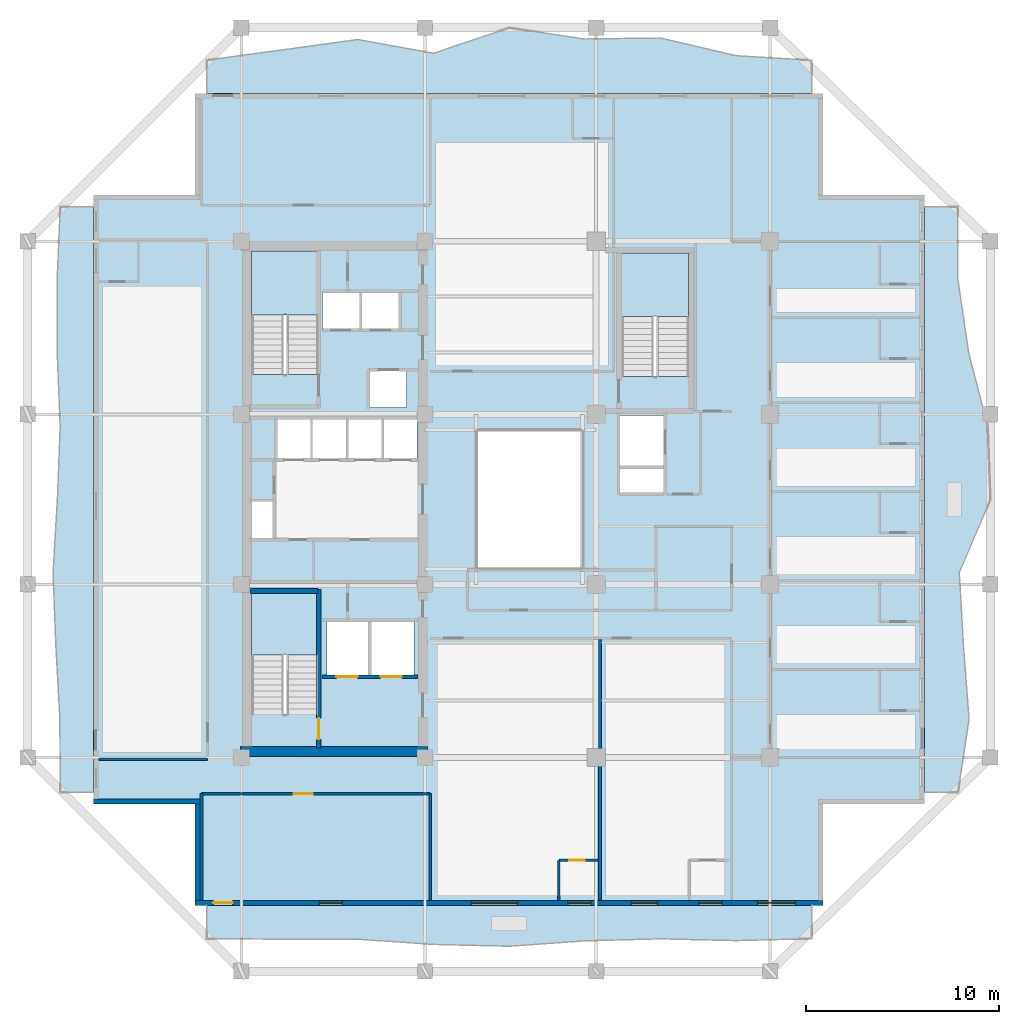
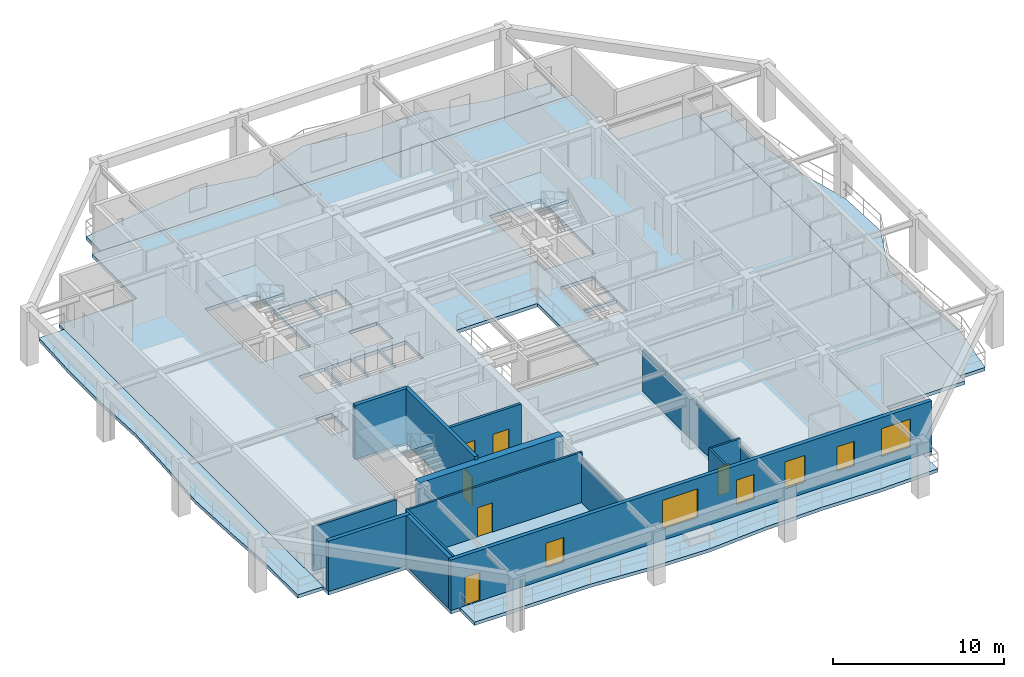
# One storey, part 2 of 13: 14 walls, 8 slabs, 6 doors, 6 windows, 12 openings, 3 elements without a shape of their own.
"""IFC4 building model written with IfcOpenShell, lengths in metres."""

from ifc_helpers import new_model, si_unit, direction, frame, frame_2d, origin, place, context, subcontext, project, spatial, polyline, rectangle, outline, extrude, material, layer, layer_set, type_object, element, fill, aggregate, save


model = new_model("IFC4")

# Units and contexts
model_context = context("Model", 3, precision=1e-05, world=origin(), true_north=direction((0.0, 1.0)))
body_context = subcontext(model_context, "Body", "Model", "MODEL_VIEW")
ifc_project = project(units=[si_unit("LENGTHUNIT", "METRE"), si_unit("AREAUNIT", "SQUARE_METRE"), si_unit("VOLUMEUNIT", "CUBIC_METRE"), si_unit("PLANEANGLEUNIT", "RADIAN"), si_unit("MASSUNIT", "GRAM", prefix="KILO")], contexts=[model_context])

# Site, building, storey
site_placement = place(None, origin())
site = spatial("IfcSite", under=ifc_project, at=site_placement, CompositionType="ELEMENT")
building_placement = place(site_placement, origin())
building = spatial("IfcBuilding", under=site, at=building_placement, Name="Kundavana Baori Tower", CompositionType="ELEMENT")
storey_placement = place(building_placement, frame((0.0, 0.0, 192.550048828125)))
storey = spatial("IfcBuildingStorey", under=building, at=storey_placement, Name="L47", CompositionType="ELEMENT", Elevation=192.550048828125)

# Slab
ifc_material_1 = material(Name="Concrete C40/50", Category="concrete")
ifc_layer_1 = layer(ifc_material_1, 0.25, Name="SLB-FLR-250")
ifc_layer_set_1 = layer_set([ifc_layer_1], Name="Concrete C40/50")
slab_type_1 = type_object("IfcSlabType", Name="SLB-FLR-250", PredefinedType="FLOOR", material=ifc_layer_set_1)
slab_1_placement = place(storey_placement, frame((0.0, 0.0, -0.25)))
element("IfcSlab", 1, at=slab_1_placement, inside=storey, type_object=slab_type_1, Name="L47 Structural Floor Slab", PredefinedType="FLOOR", context=body_context, shape_type="SweptSolid", body=[
    extrude(outline(polyline([(13.050048828125, 7.60009765625), (45.550048828125, 7.60009765625), (45.550048828125, 12.85009765625), (50.800048828125, 12.85009765625), (50.800048828125, 44.35009765625), (45.550048828125, 44.35009765625), (45.550048828125, 49.60009765625), (13.050048828125, 49.60009765625), (13.050048828125, 44.35009765625), (7.800048828125, 44.35009765625), (7.800048828125, 12.85009765625), (13.050048828125, 12.85009765625), (13.050048828125, 7.60009765625)]), holes=[polyline([(19.43994140625, 17.4619140625), (19.43994140625, 23.85009765625), (15.97998046875, 23.85009765625), (15.97998046875, 17.4619140625), (19.43994140625, 17.4619140625)]), polyline([(19.43994140625, 35.06201171875), (19.43994140625, 41.449951171875), (15.97998046875, 41.449951171875), (15.97998046875, 35.06201171875), (19.43994140625, 35.06201171875)]), polyline([(38.580078125, 34.9619140625), (38.580078125, 41.35009765625), (35.1201171875, 41.35009765625), (35.1201171875, 34.9619140625), (38.580078125, 34.9619140625)]), polyline([(17.300048828125, 30.699951171875), (19.02001953125, 30.699951171875), (19.02001953125, 32.75), (17.300048828125, 32.75), (17.300048828125, 30.699951171875)]), polyline([(19.139892578125, 30.699951171875), (20.860107421875, 30.699951171875), (20.860107421875, 32.75), (19.139892578125, 32.75), (19.139892578125, 30.699951171875)]), polyline([(20.97998046875, 30.699951171875), (22.699951171875, 30.699951171875), (22.699951171875, 32.75), (20.97998046875, 32.75), (20.97998046875, 30.699951171875)]), polyline([(22.820068359375, 30.699951171875), (24.5400390625, 30.699951171875), (24.5400390625, 32.75), (22.820068359375, 32.75), (22.820068359375, 30.699951171875)]), polyline([(19.64990234375, 37.39990234375), (21.550048828125, 37.39990234375), (21.550048828125, 39.300048828125), (19.64990234375, 39.300048828125), (19.64990234375, 37.39990234375)]), polyline([(21.699951171875, 37.39990234375), (23.60009765625, 37.39990234375), (23.60009765625, 39.300048828125), (21.699951171875, 39.300048828125), (21.699951171875, 37.39990234375)]), polyline([(22.10009765625, 33.35009765625), (24.0, 33.35009765625), (24.0, 35.25), (22.10009765625, 35.25), (22.10009765625, 33.35009765625)]), polyline([(19.8798828125, 19.5), (22.02001953125, 19.5), (22.02001953125, 22.25), (19.8798828125, 22.25), (19.8798828125, 19.5)]), polyline([(22.179931640625, 19.5), (24.3798828125, 19.5), (24.3798828125, 22.25), (22.179931640625, 22.25), (22.179931640625, 19.5)]), polyline([(35.050048828125, 30.35009765625), (37.300048828125, 30.35009765625), (37.300048828125, 32.949951171875), (35.050048828125, 32.949951171875), (35.050048828125, 30.35009765625)]), polyline([(15.949951171875, 26.60009765625), (17.080078125, 26.60009765625), (17.080078125, 28.5), (15.949951171875, 28.5), (15.949951171875, 26.60009765625)]), polyline([(35.050048828125, 28.949951171875), (37.300048828125, 28.949951171875), (37.300048828125, 30.199951171875), (35.050048828125, 30.199951171875), (35.050048828125, 28.949951171875)]), polyline([(27.60009765625, 25.0), (33.10009765625, 25.0), (33.10009765625, 32.199951171875), (27.60009765625, 32.199951171875), (27.60009765625, 25.0)])]), origin(), (0.0, 0.0, 1.0), 0.25),
])

# Stair, slab
ifc_material_2 = material(Name="Concrete C40/50", Category="concrete")
stair_type = type_object("IfcStairType", Name="STR-DOG-1650", PredefinedType="HALF_TURN_STAIR", material=ifc_material_2)
stair_1_placement = place(storey_placement, origin())
stair_1 = element("IfcStair", 2, at=stair_1_placement, inside=storey, type_object=stair_type, Name="L47 Protected Exit Stair ST1", PredefinedType="HALF_TURN_STAIR")
ifc_material_3 = material(Name="Concrete C40/50", Category="concrete")
ifc_layer_2 = layer(ifc_material_3, 0.199951171875, Name="SLB-LND-200")
ifc_layer_set_2 = layer_set([ifc_layer_2], Name="Concrete C40/50")
slab_type_2 = type_object("IfcSlabType", Name="SLB-LND-200", PredefinedType="LANDING", material=ifc_layer_set_2)
slab_2_placement = place(storey_placement, frame((0.0, 0.0, 1.724853515625)))
slab_2 = element("IfcSlab", 3, at=slab_2_placement, type_object=slab_type_2, Name="ST1 landing 1", PredefinedType="LANDING", context=body_context, shape_type="SweptSolid", body=[
    extrude(outline(polyline([(19.43994140625, 20.550048828125), (19.43994140625, 23.85009765625), (15.97998046875, 23.85009765625), (15.97998046875, 20.550048828125), (19.43994140625, 20.550048828125)])), origin(), (0.0, 0.0, 1.0), 0.2001953125),
])
aggregate(stair_1, [slab_2])

stair_2_placement = place(storey_placement, origin())
stair_2 = element("IfcStair", 4, at=stair_2_placement, inside=storey, type_object=stair_type, Name="L47 Protected Exit Stair ST2", PredefinedType="HALF_TURN_STAIR")
slab_3_placement = place(storey_placement, frame((0.0, 0.0, 1.724853515625)))
slab_3 = element("IfcSlab", 5, at=slab_3_placement, type_object=slab_type_2, Name="ST2 landing 1", PredefinedType="LANDING", context=body_context, shape_type="SweptSolid", body=[
    extrude(outline(polyline([(19.43994140625, 38.14990234375), (19.43994140625, 41.449951171875), (15.97998046875, 41.449951171875), (15.97998046875, 38.14990234375), (19.43994140625, 38.14990234375)])), origin(), (0.0, 0.0, 1.0), 0.2001953125),
])
aggregate(stair_2, [slab_3])

stair_3_placement = place(storey_placement, origin())
stair_3 = element("IfcStair", 6, at=stair_3_placement, inside=storey, type_object=stair_type, Name="L47 Protected Exit Stair ST3", PredefinedType="HALF_TURN_STAIR")
slab_4_placement = place(storey_placement, frame((0.0, 0.0, 1.724853515625)))
slab_4 = element("IfcSlab", 7, at=slab_4_placement, type_object=slab_type_2, Name="ST3 landing 1", PredefinedType="LANDING", context=body_context, shape_type="SweptSolid", body=[
    extrude(outline(polyline([(38.580078125, 38.050048828125), (38.580078125, 41.35009765625), (35.1201171875, 41.35009765625), (35.1201171875, 38.050048828125), (38.580078125, 38.050048828125)])), origin(), (0.0, 0.0, 1.0), 0.2001953125),
])
aggregate(stair_3, [slab_4])

# Slabs
ifc_material_4 = material(Name="Concrete C40/50", Category="concrete")
ifc_layer_3 = layer(ifc_material_4, 0.239990234375, Name="SLB-LOG-240")
ifc_layer_set_3 = layer_set([ifc_layer_3], Name="Concrete C40/50")
slab_type_3 = type_object("IfcSlabType", Name="SLB-LOG-240", PredefinedType="FLOOR", material=ifc_layer_set_3)
slab_5_placement = place(storey_placement, frame((0.0, 0.0, -0.239990234375)))
element("IfcSlab", 8, at=slab_5_placement, inside=storey, type_object=slab_type_3, Name="L47 Planted Loggia Balcony Slab S", PredefinedType="FLOOR", context=body_context, shape_type="SweptSolid", body=[
    extrude(outline(polyline([(13.64990234375, 7.60009765625), (44.949951171875, 7.60009765625), (44.949951171875, 5.8798828125), (41.0380859375, 5.777099609375), (37.125, 5.87109375), (33.212890625, 5.76611328125), (29.300048828125, 5.486083984375), (25.387939453125, 5.5810546875), (21.47509765625, 5.85009765625), (17.56201171875, 5.85205078125), (13.64990234375, 5.8798828125), (13.64990234375, 7.60009765625)])), origin(), (0.0, 0.0, 1.0), 0.239990234375),
])
slab_6_placement = place(storey_placement, frame((0.0, 0.0, -0.239990234375)))
element("IfcSlab", 9, at=slab_6_placement, inside=storey, type_object=slab_type_3, Name="L47 Planted Loggia Balcony Slab E", PredefinedType="FLOOR", context=body_context, shape_type="SweptSolid", body=[
    extrude(outline(polyline([(50.800048828125, 13.449951171875), (50.800048828125, 43.75), (52.52001953125, 43.75), (52.52001953125, 39.9619140625), (53.073974609375, 36.175048828125), (54.05908203125, 32.387939453125), (54.199951171875, 28.60009765625), (52.589111328125, 24.81201171875), (52.805908203125, 21.02490234375), (53.093994140625, 17.238037109375), (52.52001953125, 13.449951171875), (50.800048828125, 13.449951171875)])), origin(), (0.0, 0.0, 1.0), 0.239990234375),
])
slab_7_placement = place(storey_placement, frame((0.0, 0.0, -0.239990234375)))
element("IfcSlab", 10, at=slab_7_placement, inside=storey, type_object=slab_type_3, Name="L47 Planted Loggia Balcony Slab N", PredefinedType="FLOOR", context=body_context, shape_type="SweptSolid", body=[
    extrude(outline(polyline([(44.949951171875, 49.60009765625), (13.64990234375, 49.60009765625), (13.64990234375, 51.320068359375), (17.56201171875, 51.85205078125), (21.47509765625, 52.389892578125), (25.387939453125, 51.677001953125), (29.300048828125, 53.0), (33.212890625, 52.4169921875), (37.125, 52.470947265625), (41.0380859375, 51.552001953125), (44.949951171875, 51.320068359375), (44.949951171875, 49.60009765625)])), origin(), (0.0, 0.0, 1.0), 0.239990234375),
])
slab_8_placement = place(storey_placement, frame((0.0, 0.0, -0.239990234375)))
element("IfcSlab", 11, at=slab_8_placement, inside=storey, type_object=slab_type_3, Name="L47 Planted Loggia Balcony Slab W", PredefinedType="FLOOR", context=body_context, shape_type="SweptSolid", body=[
    extrude(outline(polyline([(7.800048828125, 43.75), (7.800048828125, 13.449951171875), (6.080078125, 13.449951171875), (6.06298828125, 17.238037109375), (5.85400390625, 21.02490234375), (5.708984375, 24.81201171875), (5.93310546875, 28.60009765625), (6.076904296875, 32.387939453125), (5.922119140625, 36.175048828125), (5.9189453125, 39.9619140625), (6.080078125, 43.75), (7.800048828125, 43.75)])), origin(), (0.0, 0.0, 1.0), 0.239990234375),
])

# Wall, opening, door
ifc_material_5 = material(Name="Concrete C50/60", Category="concrete")
ifc_layer_4 = layer(ifc_material_5, 0.39990234375, Name="WL-CORE-400")
ifc_layer_set_4 = layer_set([ifc_layer_4], Name="Concrete C50/60")
wall_type_1 = type_object("IfcWallType", Name="WL-CORE-400", PredefinedType="SHEAR", material=ifc_layer_set_4)
wall_1_placement = place(storey_placement, frame((19.4599609375, 15.739990234375, 0.0), z_axis=(0.0, 0.0, 1.0), x_axis=(0.0, 1.0, 0.0)))
wall_1 = element("IfcWall", 12, at=wall_1_placement, inside=storey, type_object=wall_type_1, Name="WL-L47-ST1-E", PredefinedType="SHEAR", context=body_context, shape_type="SweptSolid", body=[
    extrude(rectangle(XDim=8.199951171875, YDim=0.239990234375, at=frame_2d((4.10009765625, 0.0))), origin(), (0.0, 0.0, 1.0), 3.849853515625),
])
opening_1_placement = place(wall_1_placement, frame((0.449951171875, 0.0, 0.0)))
opening_1 = element("IfcOpeningElement", 13, at=opening_1_placement, cuts=wall_1, Name="Opening FD-110", PredefinedType="OPENING", context=body_context, shape_type="SweptSolid", body=[
    extrude(rectangle(XDim=1.10009765625, YDim=2.10009765625, at=frame_2d((0.550048828125, 1.050048828125))), frame((0.0, 0.1298828125, 0.0), z_axis=(0.0, -1.0, 0.0), x_axis=(1.0, 0.0, 0.0)), (0.0, 0.0, 1.0), 0.260009765625),
])
ifc_material_6 = material(Name="Galvanised Steel Fire-Rated Door Leaf", Category="steel")
door_type_1 = type_object("IfcDoorType", Name="DR-FD120-1100", OperationType="NOTDEFINED", PredefinedType="DOOR", material=ifc_material_6)
door_1_placement = place(opening_1_placement, origin())
door_1 = element("IfcDoor", 14, at=door_1_placement, inside=storey, type_object=door_type_1, Name="DR-L47-ST1", OperationType="SINGLE_SWING_LEFT", OverallHeight=2.10009765625, OverallWidth=1.10009765625, PredefinedType="DOOR", context=body_context, shape_type="SweptSolid", body=[
    extrude(rectangle(XDim=1.10009765625, YDim=2.10009765625, at=frame_2d((0.550048828125, 1.050048828125))), frame((0.0, 0.02490234375, 0.0), z_axis=(0.0, -1.0, 0.0), x_axis=(1.0, 0.0, 0.0)), (0.0, 0.0, 1.0), 0.050048828125),
])
fill(opening_1, door_1)

# Walls
wall_2_placement = place(storey_placement, frame((15.89990234375, 23.860107421875, 0.0), z_axis=(0.0, 0.0, 1.0), x_axis=(1.0, 0.0, 0.0)))
element("IfcWall", 15, at=wall_2_placement, inside=storey, type_object=wall_type_1, Name="WL-L47-ST1-N", PredefinedType="SHEAR", context=body_context, shape_type="SweptSolid", body=[
    extrude(rectangle(XDim=3.52001953125, YDim=0.239990234375, at=frame_2d((1.760009765625, 0.0))), origin(), (0.0, 0.0, 1.0), 3.849853515625),
])
ifc_material_7 = material(Name="Concrete C50/60", Category="concrete")
ifc_layer_5 = layer(ifc_material_7, 0.5, Name="WL-CORE-500")
ifc_layer_set_5 = layer_set([ifc_layer_5], Name="Concrete C50/60")
wall_type_2 = type_object("IfcWallType", Name="WL-CORE-500", PredefinedType="SHEAR", material=ifc_layer_set_5)
wall_3_placement = place(storey_placement, frame((15.39990234375, 15.56005859375, 0.0), z_axis=(0.0, 0.0, 1.0), x_axis=(1.0, 0.0, 0.0)))
element("IfcWall", 16, at=wall_3_placement, inside=storey, type_object=wall_type_2, Name="L47 Offset Core South Shear Wall", PredefinedType="SHEAR", context=body_context, shape_type="SweptSolid", body=[
    extrude(rectangle(XDim=9.68017578125, YDim=0.5, at=frame_2d((4.840087890625, 0.0))), origin(), (0.0, 0.0, 1.0), 3.599853515625),
])

# Wall, openings, door, windows
ifc_material_8 = material(Name="Kiln-Fired Terracotta Brick-Slip Masonry on Concrete C40/50", Category="masonry")
ifc_layer_6 = layer(ifc_material_8, 0.260009765625, Name="WL-EXT-BRK-260")
ifc_layer_set_6 = layer_set([ifc_layer_6], Name="Kiln-Fired Terracotta Brick-Slip Masonry on Concrete C40/50")
wall_type_3 = type_object("IfcWallType", Name="WL-EXT-BRK-260", PredefinedType="SOLIDWALL", material=ifc_layer_set_6)
wall_4_placement = place(storey_placement, frame((13.050048828125, 7.72998046875, 0.0), z_axis=(0.0, 0.0, 1.0), x_axis=(1.0, 0.0, 0.0)))
wall_4 = element("IfcWall", 17, at=wall_4_placement, inside=storey, type_object=wall_type_3, Name="L47 Exterior Insulated Facade Wall 01", PredefinedType="SOLIDWALL", context=body_context, shape_type="SweptSolid", body=[
    extrude(rectangle(XDim=32.5, YDim=0.260009765625, at=frame_2d((16.25, 0.0))), origin(), (0.0, 0.0, 1.0), 3.599853515625),
])
opening_2_placement = place(wall_4_placement, frame((0.949951171875, 0.0, 0.0)))
opening_2 = element("IfcOpeningElement", 18, at=opening_2_placement, cuts=wall_4, Name="Opening BD-1", PredefinedType="OPENING", context=body_context, shape_type="SweptSolid", body=[
    extrude(rectangle(XDim=1.0, YDim=2.050048828125, at=frame_2d((0.5, 1.02490234375))), frame((0.0, 0.14013671875, 0.0), z_axis=(0.0, -1.0, 0.0), x_axis=(1.0, 0.0, 0.0)), (0.0, 0.0, 1.0), 0.280029296875),
])
opening_3_placement = place(wall_4_placement, frame((6.429931640625, 0.0, 0.800048828125)))
opening_3 = element("IfcOpeningElement", 19, at=opening_3_placement, cuts=wall_4, Name="Opening W-03", PredefinedType="OPENING", context=body_context, shape_type="SweptSolid", body=[
    extrude(rectangle(XDim=1.199951171875, YDim=1.75, at=frame_2d((0.60009765625, 0.875))), frame((0.0, 0.14013671875, 0.0), z_axis=(0.0, -1.0, 0.0), x_axis=(1.0, 0.0, 0.0)), (0.0, 0.0, 1.0), 0.280029296875),
])
opening_4_placement = place(wall_4_placement, frame((14.294921875, 0.0, 0.800048828125)))
opening_4 = element("IfcOpeningElement", 20, at=opening_4_placement, cuts=wall_4, Name="Opening W-04", PredefinedType="OPENING", context=body_context, shape_type="SweptSolid", body=[
    extrude(rectangle(XDim=2.39990234375, YDim=2.050048828125, at=frame_2d((1.199951171875, 1.02490234375))), frame((0.0, 0.14013671875, 0.0), z_axis=(0.0, -1.0, 0.0), x_axis=(1.0, 0.0, 0.0)), (0.0, 0.0, 1.0), 0.280029296875),
])
opening_5_placement = place(wall_4_placement, frame((19.284912109375, 0.0, 0.800048828125)))
opening_5 = element("IfcOpeningElement", 21, at=opening_5_placement, cuts=wall_4, Name="Opening W-03", PredefinedType="OPENING", context=body_context, shape_type="SweptSolid", body=[
    extrude(rectangle(XDim=1.199951171875, YDim=1.75, at=frame_2d((0.60009765625, 0.875))), frame((0.0, 0.14013671875, 0.0), z_axis=(0.0, -1.0, 0.0), x_axis=(1.0, 0.0, 0.0)), (0.0, 0.0, 1.0), 0.280029296875),
])
opening_6_placement = place(wall_4_placement, frame((22.580078125, 0.0, 0.800048828125)))
opening_6 = element("IfcOpeningElement", 22, at=opening_6_placement, cuts=wall_4, Name="Opening W-07", PredefinedType="OPENING", context=body_context, shape_type="SweptSolid", body=[
    extrude(rectangle(XDim=1.35009765625, YDim=1.89990234375, at=frame_2d((0.675048828125, 0.949951171875))), frame((0.0, 0.14013671875, 0.0), z_axis=(0.0, -1.0, 0.0), x_axis=(1.0, 0.0, 0.0)), (0.0, 0.0, 1.0), 0.280029296875),
])
opening_7_placement = place(wall_4_placement, frame((26.06494140625, 0.0, 0.800048828125)))
opening_7 = element("IfcOpeningElement", 23, at=opening_7_placement, cuts=wall_4, Name="Opening W-03", PredefinedType="OPENING", context=body_context, shape_type="SweptSolid", body=[
    extrude(rectangle(XDim=1.199951171875, YDim=1.75, at=frame_2d((0.60009765625, 0.875))), frame((0.0, 0.14013671875, 0.0), z_axis=(0.0, -1.0, 0.0), x_axis=(1.0, 0.0, 0.0)), (0.0, 0.0, 1.0), 0.280029296875),
])
opening_8_placement = place(wall_4_placement, frame((29.10498046875, 0.0, 0.800048828125)))
opening_8 = element("IfcOpeningElement", 24, at=opening_8_placement, cuts=wall_4, Name="Opening W-09", PredefinedType="OPENING", context=body_context, shape_type="SweptSolid", body=[
    extrude(rectangle(XDim=1.949951171875, YDim=2.0, at=frame_2d((0.97509765625, 1.0))), frame((0.0, 0.14013671875, 0.0), z_axis=(0.0, -1.0, 0.0), x_axis=(1.0, 0.0, 0.0)), (0.0, 0.0, 1.0), 0.280029296875),
])
ifc_material_9 = material(Name="Architectural Patinated Bronze Metalwork")
door_type_2 = type_object("IfcDoorType", Name="DR-EXT-LOG-1000", OperationType="NOTDEFINED", PredefinedType="DOOR", material=ifc_material_9)
door_2_placement = place(opening_2_placement, frame((1.0, 0.0, 0.0), z_axis=(0.0, 0.0, 1.0), x_axis=(-1.0, 0.0, 0.0)))
door_2 = element("IfcDoor", 25, at=door_2_placement, inside=storey, type_object=door_type_2, Name="L47 Loggia Balcony Access Door S", OperationType="SINGLE_SWING_LEFT", OverallHeight=2.050048828125, OverallWidth=1.0, PredefinedType="DOOR", context=body_context, shape_type="SweptSolid", body=[
    extrude(rectangle(XDim=1.0, YDim=2.050048828125, at=frame_2d((0.5, 1.02490234375))), frame((0.0, 0.02490234375, 0.0), z_axis=(0.0, -1.0, 0.0), x_axis=(1.0, 0.0, 0.0)), (0.0, 0.0, 1.0), 0.050048828125),
])
fill(opening_2, door_2)
ifc_material_10 = material(Name="Double-Glazed Solar-Control Low-E Insulated Glass", Category="glass")
window_type_1 = type_object("IfcWindowType", Name="WIN-LOG-1200x1750", PartitioningType="SINGLE_PANEL", PredefinedType="WINDOW", material=ifc_material_10)
window_1_placement = place(opening_3_placement, origin())
window_1 = element("IfcWindow", 26, at=window_1_placement, inside=storey, type_object=window_type_1, Name="L47 Recessed Loggia Window S-1", OverallHeight=1.75, OverallWidth=1.199951171875, PartitioningType="SINGLE_PANEL", PredefinedType="WINDOW", context=body_context, shape_type="SweptSolid", body=[
    extrude(rectangle(XDim=1.199951171875, YDim=1.75, at=frame_2d((0.60009765625, 0.875))), frame((0.0, 0.030029296875, 0.0), z_axis=(0.0, -1.0, 0.0), x_axis=(1.0, 0.0, 0.0)), (0.0, 0.0, 1.0), 0.06005859375),
])
fill(opening_3, window_1)
window_2_placement = place(opening_5_placement, origin())
window_2 = element("IfcWindow", 27, at=window_2_placement, inside=storey, type_object=window_type_1, Name="L47 Recessed Loggia Window S-3", OverallHeight=1.75, OverallWidth=1.199951171875, PartitioningType="SINGLE_PANEL", PredefinedType="WINDOW", context=body_context, shape_type="SweptSolid", body=[
    extrude(rectangle(XDim=1.199951171875, YDim=1.75, at=frame_2d((0.60009765625, 0.875))), frame((0.0, 0.030029296875, 0.0), z_axis=(0.0, -1.0, 0.0), x_axis=(1.0, 0.0, 0.0)), (0.0, 0.0, 1.0), 0.06005859375),
])
fill(opening_5, window_2)
window_3_placement = place(opening_7_placement, origin())
window_3 = element("IfcWindow", 28, at=window_3_placement, inside=storey, type_object=window_type_1, Name="L47 Recessed Loggia Window S-5", OverallHeight=1.75, OverallWidth=1.199951171875, PartitioningType="SINGLE_PANEL", PredefinedType="WINDOW", context=body_context, shape_type="SweptSolid", body=[
    extrude(rectangle(XDim=1.199951171875, YDim=1.75, at=frame_2d((0.60009765625, 0.875))), frame((0.0, 0.030029296875, 0.0), z_axis=(0.0, -1.0, 0.0), x_axis=(1.0, 0.0, 0.0)), (0.0, 0.0, 1.0), 0.06005859375),
])
fill(opening_7, window_3)
ifc_material_11 = material(Name="Double-Glazed Solar-Control Low-E Insulated Glass", Category="glass")
window_type_2 = type_object("IfcWindowType", Name="WIN-LOG-1350x1900", PartitioningType="SINGLE_PANEL", PredefinedType="WINDOW", material=ifc_material_11)
window_4_placement = place(opening_6_placement, origin())
window_4 = element("IfcWindow", 29, at=window_4_placement, inside=storey, type_object=window_type_2, Name="L47 Recessed Loggia Window S-4", OverallHeight=1.89990234375, OverallWidth=1.35009765625, PartitioningType="SINGLE_PANEL", PredefinedType="WINDOW", context=body_context, shape_type="SweptSolid", body=[
    extrude(rectangle(XDim=1.35009765625, YDim=1.89990234375, at=frame_2d((0.675048828125, 0.949951171875))), frame((0.0, 0.030029296875, 0.0), z_axis=(0.0, -1.0, 0.0), x_axis=(1.0, 0.0, 0.0)), (0.0, 0.0, 1.0), 0.06005859375),
])
fill(opening_6, window_4)
ifc_material_12 = material(Name="Double-Glazed Solar-Control Low-E Insulated Glass", Category="glass")
window_type_3 = type_object("IfcWindowType", Name="WIN-LOG-1950x2000", PartitioningType="SINGLE_PANEL", PredefinedType="WINDOW", material=ifc_material_12)
window_5_placement = place(opening_8_placement, origin())
window_5 = element("IfcWindow", 30, at=window_5_placement, inside=storey, type_object=window_type_3, Name="L47 Recessed Loggia Window S-6", OverallHeight=2.0, OverallWidth=1.949951171875, PartitioningType="SINGLE_PANEL", PredefinedType="WINDOW", context=body_context, shape_type="SweptSolid", body=[
    extrude(rectangle(XDim=1.949951171875, YDim=2.0, at=frame_2d((0.97509765625, 1.0))), frame((0.0, 0.030029296875, 0.0), z_axis=(0.0, -1.0, 0.0), x_axis=(1.0, 0.0, 0.0)), (0.0, 0.0, 1.0), 0.06005859375),
])
fill(opening_8, window_5)
ifc_material_13 = material(Name="Double-Glazed Solar-Control Low-E Insulated Glass", Category="glass")
window_type_4 = type_object("IfcWindowType", Name="WIN-LOG-2400x2050", PartitioningType="SINGLE_PANEL", PredefinedType="WINDOW", material=ifc_material_13)
window_6_placement = place(opening_4_placement, origin())
window_6 = element("IfcWindow", 31, at=window_6_placement, inside=storey, type_object=window_type_4, Name="L47 Recessed Loggia Window S-2", OverallHeight=2.050048828125, OverallWidth=2.39990234375, PartitioningType="SINGLE_PANEL", PredefinedType="WINDOW", context=body_context, shape_type="SweptSolid", body=[
    extrude(rectangle(XDim=2.39990234375, YDim=2.050048828125, at=frame_2d((1.199951171875, 1.02490234375))), frame((0.0, 0.030029296875, 0.0), z_axis=(0.0, -1.0, 0.0), x_axis=(1.0, 0.0, 0.0)), (0.0, 0.0, 1.0), 0.06005859375),
])
fill(opening_4, window_6)

# Walls
wall_5_placement = place(storey_placement, frame((7.800048828125, 12.97998046875, 0.0), z_axis=(0.0, 0.0, 1.0), x_axis=(1.0, 0.0, 0.0)))
element("IfcWall", 32, at=wall_5_placement, inside=storey, type_object=wall_type_3, Name="L47 Exterior Insulated Facade Wall 11", PredefinedType="SOLIDWALL", context=body_context, shape_type="SweptSolid", body=[
    extrude(rectangle(XDim=5.510009765625, YDim=0.260009765625, at=frame_2d((2.7548828125, 0.0))), origin(), (0.0, 0.0, 1.0), 3.599853515625),
])
wall_6_placement = place(storey_placement, frame((13.179931640625, 12.85009765625, 0.0), z_axis=(0.0, 0.0, 1.0), x_axis=(0.0, -1.0, 0.0)))
element("IfcWall", 33, at=wall_6_placement, inside=storey, type_object=wall_type_3, Name="L47 Exterior Insulated Facade Wall 12", PredefinedType="SOLIDWALL", context=body_context, shape_type="SweptSolid", body=[
    extrude(rectangle(XDim=4.989990234375, YDim=0.260009765625, at=frame_2d((2.4951171875, 0.0))), origin(), (0.0, 0.0, 1.0), 3.599853515625),
])
ifc_material_14 = material(Name="Acoustic Gypsum Plasterboard on Galvanised Steel Studs", Category="steel")
ifc_layer_7 = layer(ifc_material_14, 0.135009765625, Name="WL-PART-135")
ifc_layer_set_7 = layer_set([ifc_layer_7], Name="Acoustic Gypsum Plasterboard on Galvanised Steel Studs")
wall_type_4 = type_object("IfcWallType", Name="WL-PART-135", PredefinedType="PARTITIONING", material=ifc_layer_set_7)
wall_7_placement = place(storey_placement, frame((8.080078125, 15.159912109375, 0.0), z_axis=(0.0, 0.0, 1.0), x_axis=(1.0, 0.0, 0.0)))
element("IfcWall", 34, at=wall_7_placement, inside=storey, type_object=wall_type_4, Name="WL-L47-HWS", PredefinedType="PARTITIONING", context=body_context, shape_type="SweptSolid", body=[
    extrude(rectangle(XDim=5.619873046875, YDim=0.135009765625, at=frame_2d((2.81005859375, 0.0))), origin(), (0.0, 0.0, 1.0), 3.14990234375),
])

# Wall, opening, door
wall_8_placement = place(storey_placement, frame((13.389892578125, 13.3798828125, 0.0), z_axis=(0.0, 0.0, 1.0), x_axis=(1.0, 0.0, 0.0)))
wall_8 = element("IfcWall", 35, at=wall_8_placement, inside=storey, type_object=wall_type_4, Name="WL-L47-HSC", PredefinedType="PARTITIONING", context=body_context, shape_type="SweptSolid", body=[
    extrude(rectangle(XDim=11.830078125, YDim=0.135009765625, at=frame_2d((5.9150390625, 0.0))), origin(), (0.0, 0.0, 1.0), 3.599853515625),
])
opening_9_placement = place(wall_8_placement, frame((4.760009765625, 0.0, 0.0)))
opening_9 = element("IfcOpeningElement", 36, at=opening_9_placement, cuts=wall_8, Name="Opening ID-100", PredefinedType="OPENING", context=body_context, shape_type="SweptSolid", body=[
    extrude(rectangle(XDim=1.0, YDim=2.080078125, at=frame_2d((0.5, 1.0400390625))), frame((0.0, 0.07763671875, 0.0), z_axis=(0.0, -1.0, 0.0), x_axis=(1.0, 0.0, 0.0)), (0.0, 0.0, 1.0), 0.155029296875),
])
ifc_material_15 = material(Name="Engineered Teak Solid-Core Timber Veneer", Category="wood")
door_type_3 = type_object("IfcDoorType", Name="DR-INT-1000", OperationType="NOTDEFINED", PredefinedType="DOOR", material=ifc_material_15)
door_3_placement = place(opening_9_placement, frame((1.0, 0.0, 0.0), z_axis=(0.0, 0.0, 1.0), x_axis=(-1.0, 0.0, 0.0)))
door_3 = element("IfcDoor", 37, at=door_3_placement, inside=storey, type_object=door_type_3, Name="DR-L47-HMSW", OperationType="SINGLE_SWING_LEFT", OverallHeight=2.080078125, OverallWidth=1.0, PredefinedType="DOOR", context=body_context, shape_type="SweptSolid", body=[
    extrude(rectangle(XDim=1.0, YDim=2.080078125, at=frame_2d((0.5, 1.0400390625))), frame((0.0, 0.02490234375, 0.0), z_axis=(0.0, -1.0, 0.0), x_axis=(1.0, 0.0, 0.0)), (0.0, 0.0, 1.0), 0.050048828125),
])
fill(opening_9, door_3)

# Walls
wall_9_placement = place(storey_placement, frame((13.389892578125, 7.8798828125, 0.0), z_axis=(0.0, 0.0, 1.0), x_axis=(0.0, 1.0, 0.0)))
element("IfcWall", 38, at=wall_9_placement, inside=storey, type_object=wall_type_4, Name="WL-L47-HSCW", PredefinedType="PARTITIONING", context=body_context, shape_type="SweptSolid", body=[
    extrude(rectangle(XDim=5.5, YDim=0.135009765625, at=frame_2d((2.75, 0.0))), origin(), (0.0, 0.0, 1.0), 3.599853515625),
])
wall_10_placement = place(storey_placement, frame((25.219970703125, 7.8798828125, 0.0), z_axis=(0.0, 0.0, 1.0), x_axis=(0.0, 1.0, 0.0)))
element("IfcWall", 39, at=wall_10_placement, inside=storey, type_object=wall_type_4, Name="WL-L47-HSCE", PredefinedType="PARTITIONING", context=body_context, shape_type="SweptSolid", body=[
    extrude(rectangle(XDim=5.5, YDim=0.135009765625, at=frame_2d((2.75, 0.0))), origin(), (0.0, 0.0, 1.0), 3.14990234375),
])
wall_11_placement = place(storey_placement, frame((34.0, 7.8798828125, 0.0), z_axis=(0.0, 0.0, 1.0), x_axis=(0.0, 1.0, 0.0)))
element("IfcWall", 40, at=wall_11_placement, inside=storey, type_object=wall_type_4, Name="WL-L47-HSD1", PredefinedType="PARTITIONING", context=body_context, shape_type="SweptSolid", body=[
    extrude(rectangle(XDim=13.480224609375, YDim=0.135009765625, at=frame_2d((6.740234375, 0.0))), origin(), (0.0, 0.0, 1.0), 2.949951171875),
])

# Wall, openings, doors
ifc_material_16 = material(Name="Autoclaved Aerated Concrete Blockwork Masonry", Category="masonry")
ifc_layer_8 = layer(ifc_material_16, 0.179931640625, Name="WL-SHAFT-180")
ifc_layer_set_8 = layer_set([ifc_layer_8], Name="Autoclaved Aerated Concrete Blockwork Masonry")
wall_type_5 = type_object("IfcWallType", Name="WL-SHAFT-180", PredefinedType="SOLIDWALL", material=ifc_layer_set_8)
wall_12_placement = place(storey_placement, frame((19.639892578125, 19.419921875, 0.0), z_axis=(0.0, 0.0, 1.0), x_axis=(1.0, 0.0, 0.0)))
wall_12 = element("IfcWall", 41, at=wall_12_placement, inside=storey, type_object=wall_type_5, Name="WL-L47-FFL-S", PredefinedType="SOLIDWALL", context=body_context, shape_type="SweptSolid", body=[
    extrude(rectangle(XDim=4.940185546875, YDim=0.179931640625, at=frame_2d((2.47021484375, 0.0))), origin(), (0.0, 0.0, 1.0), 3.599853515625),
])
opening_10_placement = place(wall_12_placement, frame((0.719970703125, 0.0, 0.0)))
opening_10 = element("IfcOpeningElement", 42, at=opening_10_placement, cuts=wall_12, Name="Opening LD-110", PredefinedType="OPENING", context=body_context, shape_type="SweptSolid", body=[
    extrude(rectangle(XDim=1.10009765625, YDim=2.10009765625, at=frame_2d((0.550048828125, 1.050048828125))), frame((0.0, 0.10009765625, 0.0), z_axis=(0.0, -1.0, 0.0), x_axis=(1.0, 0.0, 0.0)), (0.0, 0.0, 1.0), 0.199951171875),
])
opening_11_placement = place(wall_12_placement, frame((3.02001953125, 0.0, 0.0)))
opening_11 = element("IfcOpeningElement", 43, at=opening_11_placement, cuts=wall_12, Name="Opening LD-110", PredefinedType="OPENING", context=body_context, shape_type="SweptSolid", body=[
    extrude(rectangle(XDim=1.10009765625, YDim=2.10009765625, at=frame_2d((0.550048828125, 1.050048828125))), frame((0.0, 0.10009765625, 0.0), z_axis=(0.0, -1.0, 0.0), x_axis=(1.0, 0.0, 0.0)), (0.0, 0.0, 1.0), 0.199951171875),
])
ifc_material_17 = material(Name="Galvanised Steel Fire-Rated Door Leaf", Category="steel")
door_type_4 = type_object("IfcDoorType", Name="DR-SLIDE-LD1100", OperationType="NOTDEFINED", PredefinedType="DOOR", material=ifc_material_17)
door_4_placement = place(opening_10_placement, origin())
door_4 = element("IfcDoor", 44, at=door_4_placement, inside=storey, type_object=door_type_4, Name="DR-L47-LD-FFL-1", OperationType="DOUBLE_DOOR_SLIDING", OverallHeight=2.10009765625, OverallWidth=1.10009765625, PredefinedType="DOOR", context=body_context, shape_type="SweptSolid", body=[
    extrude(rectangle(XDim=1.10009765625, YDim=2.10009765625, at=frame_2d((0.550048828125, 1.050048828125))), frame((0.0, 0.02490234375, 0.0), z_axis=(0.0, -1.0, 0.0), x_axis=(1.0, 0.0, 0.0)), (0.0, 0.0, 1.0), 0.050048828125),
])
fill(opening_10, door_4)
door_5_placement = place(opening_11_placement, origin())
door_5 = element("IfcDoor", 45, at=door_5_placement, inside=storey, type_object=door_type_4, Name="DR-L47-LD-FFL-2", OperationType="DOUBLE_DOOR_SLIDING", OverallHeight=2.10009765625, OverallWidth=1.10009765625, PredefinedType="DOOR", context=body_context, shape_type="SweptSolid", body=[
    extrude(rectangle(XDim=1.10009765625, YDim=2.10009765625, at=frame_2d((0.550048828125, 1.050048828125))), frame((0.0, 0.02490234375, 0.0), z_axis=(0.0, -1.0, 0.0), x_axis=(1.0, 0.0, 0.0)), (0.0, 0.0, 1.0), 0.050048828125),
])
fill(opening_11, door_5)

# Wall
ifc_material_18 = material(Name="Autoclaved Aerated Concrete Blockwork Masonry", Category="masonry")
ifc_layer_9 = layer(ifc_material_18, 0.125, Name="WL-WET-120")
ifc_layer_set_9 = layer_set([ifc_layer_9], Name="Autoclaved Aerated Concrete Blockwork Masonry")
wall_type_6 = type_object("IfcWallType", Name="WL-WET-120", PredefinedType="PLUMBINGWALL", material=ifc_layer_set_9)
wall_13_placement = place(storey_placement, frame((31.8701171875, 7.8798828125, 0.0), z_axis=(0.0, 0.0, 1.0), x_axis=(0.0, 1.0, 0.0)))
element("IfcWall", 46, at=wall_13_placement, inside=storey, type_object=wall_type_6, Name="WL-L47-HK-S1-BW", PredefinedType="PLUMBINGWALL", context=body_context, shape_type="SweptSolid", body=[
    extrude(rectangle(XDim=2.050048828125, YDim=0.125, at=frame_2d((1.02490234375, 0.0))), origin(), (0.0, 0.0, 1.0), 3.599853515625),
])

# Wall, opening, door
wall_14_placement = place(storey_placement, frame((31.8701171875, 9.929931640625, 0.0), z_axis=(0.0, 0.0, 1.0), x_axis=(1.0, 0.0, 0.0)))
wall_14 = element("IfcWall", 47, at=wall_14_placement, inside=storey, type_object=wall_type_6, Name="WL-L47-HK-S1-BN", PredefinedType="PLUMBINGWALL", context=body_context, shape_type="SweptSolid", body=[
    extrude(rectangle(XDim=2.0498046875, YDim=0.125, at=frame_2d((1.02490234375, 0.0))), origin(), (0.0, 0.0, 1.0), 3.599853515625),
])
opening_12_placement = place(wall_14_placement, frame((0.550048828125, 0.0, 0.0)))
opening_12 = element("IfcOpeningElement", 48, at=opening_12_placement, cuts=wall_14, Name="Opening WD-080", PredefinedType="OPENING", context=body_context, shape_type="SweptSolid", body=[
    extrude(rectangle(XDim=0.800048828125, YDim=2.050048828125, at=frame_2d((0.39990234375, 1.02490234375))), frame((0.0, 0.072509765625, 0.0), z_axis=(0.0, -1.0, 0.0), x_axis=(1.0, 0.0, 0.0)), (0.0, 0.0, 1.0), 0.14501953125),
])
ifc_material_19 = material(Name="Engineered Teak Solid-Core Timber Veneer", Category="wood")
door_type_5 = type_object("IfcDoorType", Name="DR-WET-800", OperationType="NOTDEFINED", PredefinedType="DOOR", material=ifc_material_19)
door_6_placement = place(opening_12_placement, origin())
door_6 = element("IfcDoor", 49, at=door_6_placement, inside=storey, type_object=door_type_5, Name="DR-L47-HK-S1-ENS", OperationType="SINGLE_SWING_LEFT", OverallHeight=2.050048828125, OverallWidth=0.800048828125, PredefinedType="DOOR", context=body_context, shape_type="SweptSolid", body=[
    extrude(rectangle(XDim=0.800048828125, YDim=2.050048828125, at=frame_2d((0.39990234375, 1.02490234375))), frame((0.0, 0.02490234375, 0.0), z_axis=(0.0, -1.0, 0.0), x_axis=(1.0, 0.0, 0.0)), (0.0, 0.0, 1.0), 0.050048828125),
])
fill(opening_12, door_6)

save(model, "model.ifc")
